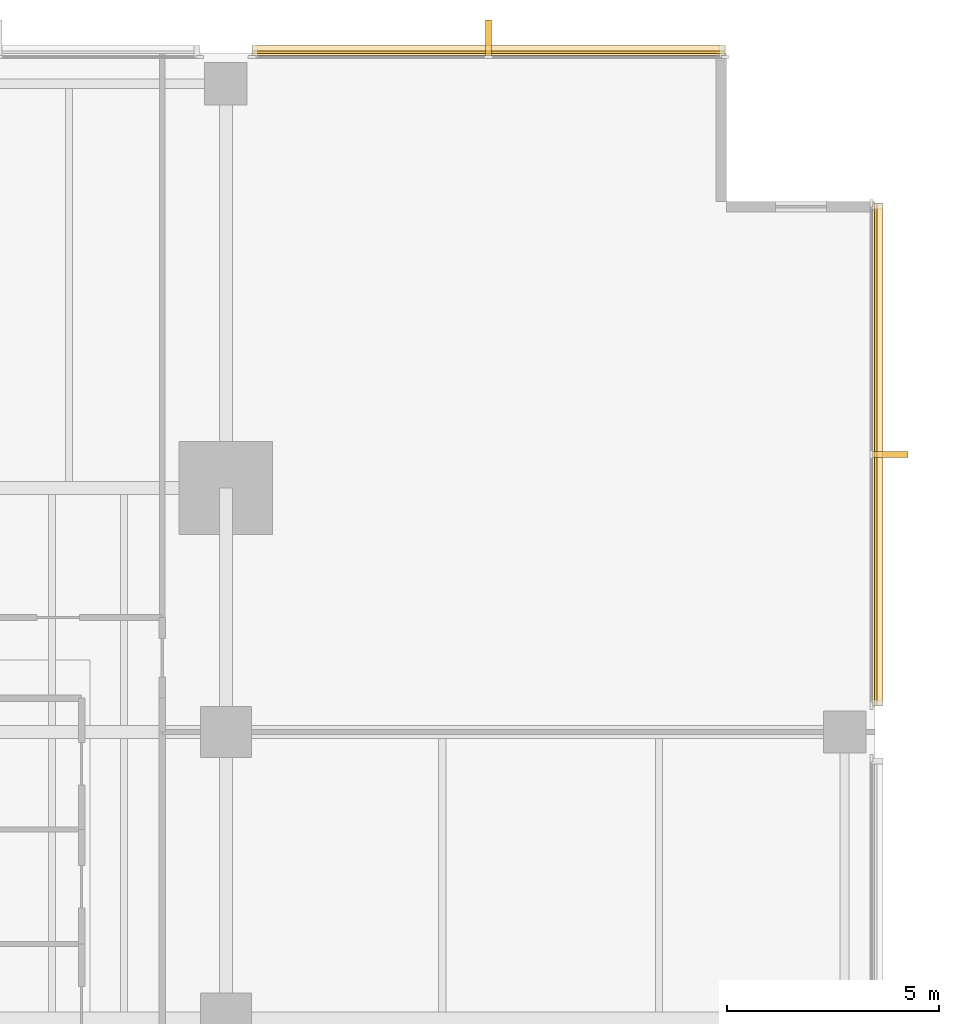
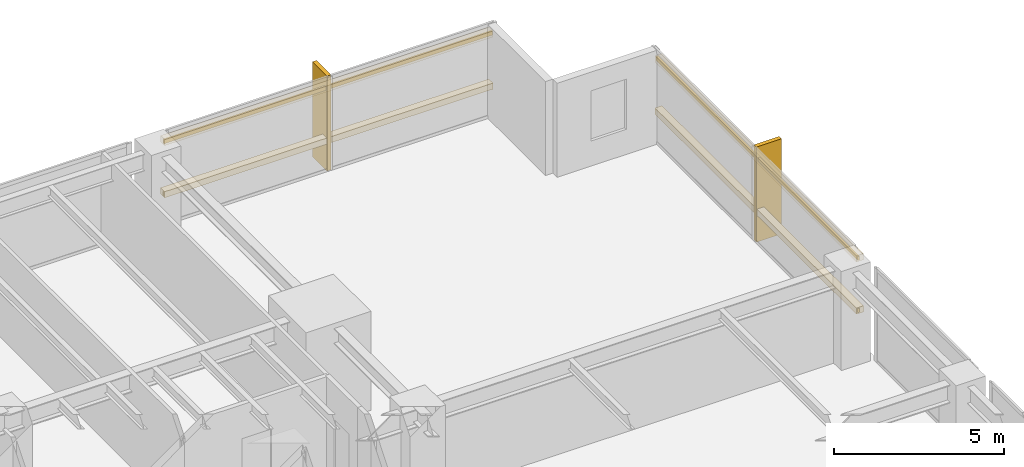
# One storey, part 15 of 15: 6 coverings, 4 shading devices.
"""IFC4 building model written with IfcOpenShell, lengths in metres."""

from ifc_helpers import new_model, si_unit, direction, frame, origin, origin_2d, place, context, subcontext, project, spatial, polyline, rectangle, outline, extrude, material, layer, layer_set, material_profile, profile_set, type_object, element, save


model = new_model("IFC4")

# Units and contexts
model_context = context("Model", 3, precision=1e-05, world=origin(), true_north=direction((0.0, 1.0)))
body_context = subcontext(model_context, "Body", "Model", "MODEL_VIEW")
ifc_project = project(units=[si_unit("LENGTHUNIT", "METRE"), si_unit("AREAUNIT", "SQUARE_METRE"), si_unit("VOLUMEUNIT", "CUBIC_METRE"), si_unit("PLANEANGLEUNIT", "RADIAN"), si_unit("MASSUNIT", "GRAM", prefix="KILO")], contexts=[model_context])

# Site, building, storey
site_placement = place(None, origin())
site = spatial("IfcSite", under=ifc_project, at=site_placement, CompositionType="ELEMENT")
building_placement = place(site_placement, origin())
building = spatial("IfcBuilding", under=site, at=building_placement, Name="Kinhvarn Gate Tower", CompositionType="ELEMENT")
storey_placement = place(building_placement, frame((0.0, 0.0, 75.300048828125)))
storey = spatial("IfcBuildingStorey", under=building, at=storey_placement, Name="L19", CompositionType="ELEMENT", Elevation=75.300048828125)

# Coverings
ifc_material = material(Name="Fired architectural terracotta", Category="masonry")
ifc_layer_1 = layer(ifc_material, 0.239990234375)
ifc_layer_set_1 = layer_set([ifc_layer_1], Name="Fired architectural terracotta")
covering_type_1 = type_object("IfcCoveringType", Name="COV-BAG-220", PredefinedType="CLADDING", material=ifc_layer_set_1)
for number, where, name in (
    (1, (0.0, 0.0, 0.93994140625), "Terracotta Horizontal Sunscreen Band TBG-220 (L19)"),
    (2, (0.0, 0.0, 2.81005859375), "Terracotta Horizontal Sunscreen Band TBG-220 (L19)"),
):
    element("IfcCovering", number, at=place(storey_placement, frame(where)), inside=storey, type_object=covering_type_1, Name=name, PredefinedType="CLADDING", context=body_context, shape_type="SweptSolid", body=[
        extrude(outline(polyline([(49.9599609375, 47.93994140625), (38.820068359375, 47.93994140625), (38.820068359375, 48.179931640625), (49.9599609375, 48.179931640625), (49.9599609375, 47.93994140625)])), origin(), (0.0, 0.0, 1.0), 0.219970703125),
    ])
for number, where, name in (
    (3, (0.0, 0.0, 0.93994140625), "Terracotta Horizontal Sunscreen Band TBG-220 (L19)"),
    (4, (0.0, 0.0, 2.81005859375), "Terracotta Horizontal Sunscreen Band TBG-220 (L19)"),
):
    element("IfcCovering", number, at=place(storey_placement, frame(where)), inside=storey, type_object=covering_type_1, Name=name, PredefinedType="CLADDING", context=body_context, shape_type="SweptSolid", body=[
        extrude(outline(polyline([(53.43994140625, 32.6201171875), (53.43994140625, 44.4599609375), (53.679931640625, 44.4599609375), (53.679931640625, 32.6201171875), (53.43994140625, 32.6201171875)])), origin(), (0.0, 0.0, 1.0), 0.219970703125),
    ])
ifc_layer_2 = layer(ifc_material, 0.139892578125)
ifc_layer_set_2 = layer_set([ifc_layer_2], Name="Fired architectural terracotta")
covering_type_2 = type_object("IfcCoveringType", Name="COV-FIN-850", PredefinedType="CLADDING", material=ifc_layer_set_2)
covering_1_placement = place(storey_placement, frame((0.0, 0.0, -0.02001953125)))
element("IfcCovering", 5, at=covering_1_placement, inside=storey, type_object=covering_type_2, Name="Vertical Terracotta Expressive Fin TFN-850 (L19)", PredefinedType="CLADDING", context=body_context, shape_type="SweptSolid", body=[
    extrude(outline(polyline([(44.4599609375, 47.929931640625), (44.320068359375, 47.929931640625), (44.320068359375, 48.780029296875), (44.4599609375, 48.780029296875), (44.4599609375, 47.929931640625)])), origin(), (0.0, 0.0, 1.0), 3.409912109375),
])
covering_2_placement = place(storey_placement, frame((0.0, 0.0, -0.02001953125)))
element("IfcCovering", 6, at=covering_2_placement, inside=storey, type_object=covering_type_2, Name="Vertical Terracotta Expressive Fin TFN-850 (L19)", PredefinedType="CLADDING", context=body_context, shape_type="SweptSolid", body=[
    extrude(outline(polyline([(53.429931640625, 38.469970703125), (53.429931640625, 38.610107421875), (54.280029296875, 38.610107421875), (54.280029296875, 38.469970703125), (53.429931640625, 38.469970703125)])), origin(), (0.0, 0.0, 1.0), 3.409912109375),
])

# Shading devices
ifc_material_profile = material_profile(ifc_material, rectangle(XDim=0.06005859375, YDim=0.139892578125, at=origin_2d()), Name="TC 60x140")
ifc_profile_set = profile_set([ifc_material_profile], Name="Fired architectural terracotta")
shading_device_type = type_object("IfcShadingDeviceType", Name="SHD-BAG-180", PredefinedType="USERDEFINED", material=ifc_profile_set)
for number, where, z_axis, x_axis, name in (
    (7, (49.9599609375, 48.014892578125, 1.050048828125), (-1.0, 0.0, 0.0), (0.0, -1.0, 0.0), "Fired Terracotta Baguette Screen Rod 60x140 mm (L19)"),
    (8, (49.9599609375, 48.014892578125, 2.919921875), (-1.0, 0.0, 0.0), (0.0, -1.0, 0.0), "Fired Terracotta Baguette Screen Rod 60x140 mm (L19)"),
):
    element("IfcShadingDevice", number, at=place(storey_placement, frame(where, z_axis=z_axis, x_axis=x_axis)), inside=storey, type_object=shading_device_type, Name=name, ObjectType="BAGUETTE", PredefinedType="USERDEFINED", context=body_context, shape_type="SweptSolid", body=[
        extrude(rectangle(XDim=0.06005859375, YDim=0.139892578125, at=origin_2d()), origin(), (0.0, 0.0, 1.0), 11.139892578125),
    ])
for number, where, z_axis, x_axis, name in (
    (9, (53.514892578125, 32.6201171875, 1.050048828125), (0.0, 1.0, 0.0), (-1.0, 0.0, 0.0), "Fired Terracotta Baguette Screen Rod 60x140 mm (L19)"),
    (10, (53.514892578125, 32.6201171875, 2.919921875), (0.0, 1.0, 0.0), (-1.0, 0.0, 0.0), "Fired Terracotta Baguette Screen Rod 60x140 mm (L19)"),
):
    element("IfcShadingDevice", number, at=place(storey_placement, frame(where, z_axis=z_axis, x_axis=x_axis)), inside=storey, type_object=shading_device_type, Name=name, ObjectType="BAGUETTE", PredefinedType="USERDEFINED", context=body_context, shape_type="SweptSolid", body=[
        extrude(rectangle(XDim=0.06005859375, YDim=0.139892578125, at=origin_2d()), origin(), (0.0, 0.0, 1.0), 11.83984375),
    ])

save(model, "model.ifc")
